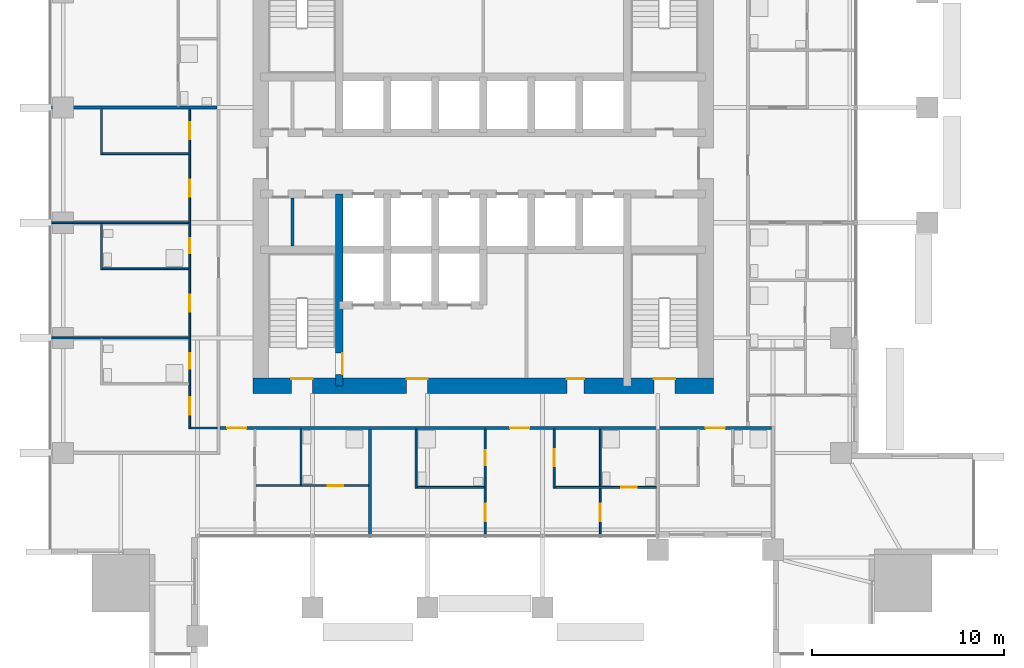
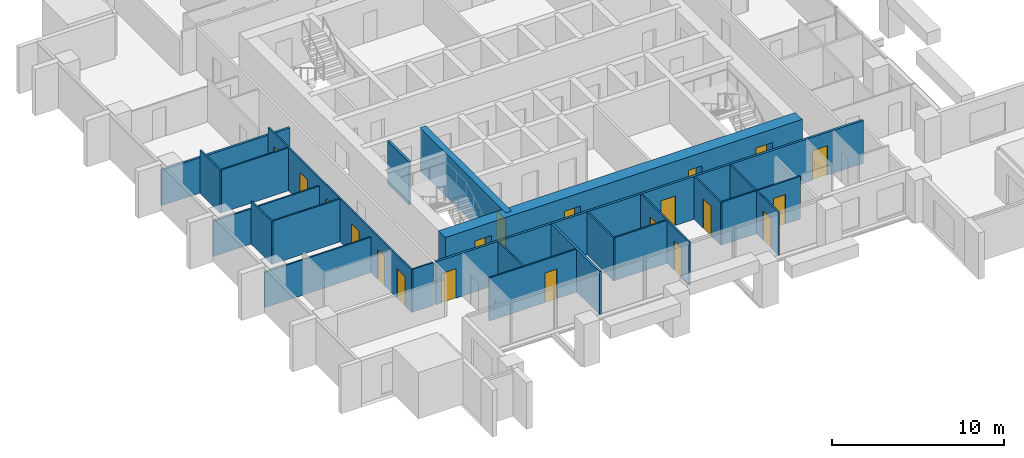
# One storey, part 7 of 13: 22 walls, 20 doors, 20 openings.
"""IFC4 building model written with IfcOpenShell, lengths in metres."""

from ifc_helpers import new_model, si_unit, direction, frame, frame_2d, origin, place, context, subcontext, project, spatial, rectangle, extrude, material, layer, layer_set, type_object, element, fill, save


model = new_model("IFC4")

# Units and contexts
model_context = context("Model", 3, precision=1e-05, world=origin(), true_north=direction((0.0, 1.0)))
body_context = subcontext(model_context, "Body", "Model", "MODEL_VIEW")
ifc_project = project(units=[si_unit("LENGTHUNIT", "METRE"), si_unit("AREAUNIT", "SQUARE_METRE"), si_unit("VOLUMEUNIT", "CUBIC_METRE"), si_unit("PLANEANGLEUNIT", "RADIAN"), si_unit("MASSUNIT", "GRAM", prefix="KILO")], contexts=[model_context])

# Site, building, storey
site_placement = place(None, origin())
site = spatial("IfcSite", under=ifc_project, at=site_placement, CompositionType="ELEMENT")
building_placement = place(site_placement, origin())
building = spatial("IfcBuilding", under=site, at=building_placement, Name="Amberfall Residences", CompositionType="ELEMENT")
storey_placement = place(building_placement, frame((0.0, 0.0, 111.699951171875)))
storey = spatial("IfcBuildingStorey", under=building, at=storey_placement, Name="L30", CompositionType="ELEMENT", Elevation=111.699951171875)

# Wall, opening, door
ifc_material_1 = material(Name="Concrete C70", Category="concrete")
ifc_layer_1 = layer(ifc_material_1, 0.39990234375)
ifc_layer_set_1 = layer_set([ifc_layer_1], Name="Core wall 400 C70")
wall_type_1 = type_object("IfcWallType", Name="Core wall 400 C70", PredefinedType="SHEAR", material=ifc_layer_set_1)
wall_1_placement = place(storey_placement, frame((67.0, 33.89990234375, 0.0), z_axis=(0.0, 0.0, 1.0), x_axis=(0.0, 1.0, 0.0)))
wall_1 = element("IfcWall", 1, at=wall_1_placement, inside=storey, type_object=wall_type_1, Name="Core wall RW4 L30 V45S", PredefinedType="SHEAR", context=body_context, shape_type="SweptSolid", body=[
    extrude(rectangle(XDim=10.0, YDim=0.39990234375, at=frame_2d((5.0, 0.0))), origin(), (0.0, 0.0, 1.0), 3.050048828125),
])
opening_1_placement = place(wall_1_placement, frame((0.60009765625, 0.0, 0.0)))
opening_1 = element("IfcOpeningElement", 2, at=opening_1_placement, cuts=wall_1, Name="Opening FL1", PredefinedType="OPENING", context=body_context, shape_type="SweptSolid", body=[
    extrude(rectangle(XDim=1.10009765625, YDim=2.10009765625, at=frame_2d((0.550048828125, 1.050048828125))), frame((0.0, 0.2099609375, 0.0), z_axis=(0.0, -1.0, 0.0), x_axis=(1.0, 0.0, 0.0)), (0.0, 0.0, 1.0), 0.419921875),
])
ifc_material_2 = material(Name="Steel fire door set", Category="steel")
door_type_1 = type_object("IfcDoorType", Name="Firefighting lobby door 1100 x 2100", OperationType="SINGLE_SWING_LEFT", PredefinedType="DOOR", material=ifc_material_2)
door_1_placement = place(opening_1_placement, origin())
door_1 = element("IfcDoor", 3, at=door_1_placement, inside=storey, type_object=door_type_1, Name="FL1 L30", OperationType="SINGLE_SWING_RIGHT", OverallHeight=2.10009765625, OverallWidth=1.10009765625, PredefinedType="DOOR", context=body_context, shape_type="SweptSolid", body=[
    extrude(rectangle(XDim=1.10009765625, YDim=2.10009765625, at=frame_2d((0.550048828125, 1.050048828125))), frame((0.0, -0.1376953125, 0.0), z_axis=(0.0, -1.0, 0.0), x_axis=(1.0, 0.0, 0.0)), (0.0, 0.0, 1.0), 0.050048828125),
])
fill(opening_1, door_1)

# Wall, openings, doors
ifc_layer_2 = layer(ifc_material_1, 0.800048828125)
ifc_layer_set_2 = layer_set([ifc_layer_2], Name="Core wall 800 C70")
wall_type_2 = type_object("IfcWallType", Name="Core wall 800 C70", PredefinedType="SHEAR", material=ifc_layer_set_2)
wall_2_placement = place(storey_placement, frame((62.5, 33.89990234375, 0.0), z_axis=(0.0, 0.0, 1.0), x_axis=(1.0, 0.0, 0.0)))
wall_2 = element("IfcWall", 4, at=wall_2_placement, inside=storey, type_object=wall_type_2, Name="Core wall RW3 L30 OS", PredefinedType="SHEAR", context=body_context, shape_type="SweptSolid", body=[
    extrude(rectangle(XDim=24.0, YDim=0.800048828125, at=frame_2d((12.0, 0.0))), origin(), (0.0, 0.0, 1.0), 3.050048828125),
])
opening_2_placement = place(wall_2_placement, frame((2.0, 0.0, 0.0)))
opening_2 = element("IfcOpeningElement", 5, at=opening_2_placement, cuts=wall_2, Name="Opening SD1", PredefinedType="OPENING", context=body_context, shape_type="SweptSolid", body=[
    extrude(rectangle(XDim=1.10009765625, YDim=2.10009765625, at=frame_2d((0.550048828125, 1.050048828125))), frame((0.0, 0.409912109375, 0.0), z_axis=(0.0, -1.0, 0.0), x_axis=(1.0, 0.0, 0.0)), (0.0, 0.0, 1.0), 0.820068359375),
])
opening_3_placement = place(wall_2_placement, frame((20.89990234375, 0.0, 0.0)))
opening_3 = element("IfcOpeningElement", 6, at=opening_3_placement, cuts=wall_2, Name="Opening SD1", PredefinedType="OPENING", context=body_context, shape_type="SweptSolid", body=[
    extrude(rectangle(XDim=1.10009765625, YDim=2.10009765625, at=frame_2d((0.550048828125, 1.050048828125))), frame((0.0, 0.409912109375, 0.0), z_axis=(0.0, -1.0, 0.0), x_axis=(1.0, 0.0, 0.0)), (0.0, 0.0, 1.0), 0.820068359375),
])
opening_4_placement = place(wall_2_placement, frame((8.0, 0.0, 0.0)))
opening_4 = element("IfcOpeningElement", 7, at=opening_4_placement, cuts=wall_2, Name="Opening FL1", PredefinedType="OPENING", context=body_context, shape_type="SweptSolid", body=[
    extrude(rectangle(XDim=1.10009765625, YDim=2.10009765625, at=frame_2d((0.550048828125, 1.050048828125))), frame((0.0, 0.409912109375, 0.0), z_axis=(0.0, -1.0, 0.0), x_axis=(1.0, 0.0, 0.0)), (0.0, 0.0, 1.0), 0.820068359375),
])
opening_5_placement = place(wall_2_placement, frame((16.362548828125, 0.0, 0.0)))
opening_5 = element("IfcOpeningElement", 8, at=opening_5_placement, cuts=wall_2, Name="Opening RD1", PredefinedType="OPENING", context=body_context, shape_type="SweptSolid", body=[
    extrude(rectangle(XDim=0.89990234375, YDim=2.10009765625, at=frame_2d((0.449951171875, 1.050048828125))), frame((0.0, 0.409912109375, 0.0), z_axis=(0.0, -1.0, 0.0), x_axis=(1.0, 0.0, 0.0)), (0.0, 0.0, 1.0), 0.820068359375),
])
door_2_placement = place(opening_4_placement, origin())
door_2 = element("IfcDoor", 9, at=door_2_placement, inside=storey, type_object=door_type_1, Name="FL1 L30", OperationType="SINGLE_SWING_LEFT", OverallHeight=2.10009765625, OverallWidth=1.10009765625, PredefinedType="DOOR", context=body_context, shape_type="SweptSolid", body=[
    extrude(rectangle(XDim=1.10009765625, YDim=2.10009765625, at=frame_2d((0.550048828125, 1.050048828125))), frame((0.0, 0.3876953125, 0.0), z_axis=(0.0, -1.0, 0.0), x_axis=(1.0, 0.0, 0.0)), (0.0, 0.0, 1.0), 0.050048828125),
])
fill(opening_4, door_2)
door_type_2 = type_object("IfcDoorType", Name="Service room door 900 x 2100", OperationType="SINGLE_SWING_LEFT", PredefinedType="DOOR", material=ifc_material_2)
door_3_placement = place(opening_5_placement, origin())
door_3 = element("IfcDoor", 10, at=door_3_placement, inside=storey, type_object=door_type_2, Name="RD1 L30", OperationType="SINGLE_SWING_LEFT", OverallHeight=2.10009765625, OverallWidth=0.89990234375, PredefinedType="DOOR", context=body_context, shape_type="SweptSolid", body=[
    extrude(rectangle(XDim=0.89990234375, YDim=2.10009765625, at=frame_2d((0.449951171875, 1.050048828125))), frame((0.0, 0.3876953125, 0.0), z_axis=(0.0, -1.0, 0.0), x_axis=(1.0, 0.0, 0.0)), (0.0, 0.0, 1.0), 0.050048828125),
])
fill(opening_5, door_3)
door_type_3 = type_object("IfcDoorType", Name="Stair door 1100 x 2100", OperationType="SINGLE_SWING_LEFT", PredefinedType="DOOR", material=ifc_material_2)
door_4_placement = place(opening_2_placement, origin())
door_4 = element("IfcDoor", 11, at=door_4_placement, inside=storey, type_object=door_type_3, Name="SD1 L30", OperationType="SINGLE_SWING_LEFT", OverallHeight=2.10009765625, OverallWidth=1.10009765625, PredefinedType="DOOR", context=body_context, shape_type="SweptSolid", body=[
    extrude(rectangle(XDim=1.10009765625, YDim=2.10009765625, at=frame_2d((0.550048828125, 1.050048828125))), frame((0.0, 0.3876953125, 0.0), z_axis=(0.0, -1.0, 0.0), x_axis=(1.0, 0.0, 0.0)), (0.0, 0.0, 1.0), 0.050048828125),
])
fill(opening_2, door_4)
door_5_placement = place(opening_3_placement, origin())
door_5 = element("IfcDoor", 12, at=door_5_placement, inside=storey, type_object=door_type_3, Name="SD1 L30", OperationType="SINGLE_SWING_RIGHT", OverallHeight=2.10009765625, OverallWidth=1.10009765625, PredefinedType="DOOR", context=body_context, shape_type="SweptSolid", body=[
    extrude(rectangle(XDim=1.10009765625, YDim=2.10009765625, at=frame_2d((0.550048828125, 1.050048828125))), frame((0.0, 0.3876953125, 0.0), z_axis=(0.0, -1.0, 0.0), x_axis=(1.0, 0.0, 0.0)), (0.0, 0.0, 1.0), 0.050048828125),
])
fill(opening_3, door_5)

# Walls
ifc_material_3 = material(Name="Gypsum board on metal stud")
ifc_layer_3 = layer(ifc_material_3, 0.10009765625)
ifc_layer_set_3 = layer_set([ifc_layer_3], Name="Flat partition 100")
wall_type_3 = type_object("IfcWallType", Name="Flat partition 100", PredefinedType="PARTITIONING", material=ifc_layer_set_3)
wall_3_placement = place(storey_placement, frame((54.60009765625, 39.949951171875, 0.0), z_axis=(0.0, 0.0, 1.0), x_axis=(0.0, 1.0, 0.0)))
element("IfcWall", 13, at=wall_3_placement, inside=storey, type_object=wall_type_3, Name="Partition 002", PredefinedType="PARTITIONING", context=body_context, shape_type="SweptSolid", body=[
    extrude(rectangle(XDim=2.400146484375, YDim=0.10009765625, at=frame_2d((1.2001953125, 0.0))), origin(), (0.0, 0.0, 1.0), 3.050048828125),
])
wall_4_placement = place(storey_placement, frame((54.60009765625, 45.949951171875, 0.0), z_axis=(0.0, 0.0, 1.0), x_axis=(0.0, 1.0, 0.0)))
element("IfcWall", 14, at=wall_4_placement, inside=storey, type_object=wall_type_3, Name="Partition 003", PredefinedType="PARTITIONING", context=body_context, shape_type="SweptSolid", body=[
    extrude(rectangle(XDim=2.375, YDim=0.10009765625, at=frame_2d((1.1875, 0.0))), origin(), (0.0, 0.0, 1.0), 3.050048828125),
])

# Wall, openings, doors
wall_5_placement = place(storey_placement, frame((59.199951171875, 31.64990234375, 0.0), z_axis=(0.0, 0.0, 1.0), x_axis=(0.0, 1.0, 0.0)))
wall_5 = element("IfcWall", 15, at=wall_5_placement, inside=storey, type_object=wall_type_3, Name="Partition 005", PredefinedType="PARTITIONING", context=body_context, shape_type="SweptSolid", body=[
    extrude(rectangle(XDim=16.675048828125, YDim=0.10009765625, at=frame_2d((8.33740234375, 0.0))), origin(), (0.0, 0.0, 1.0), 3.050048828125),
])
opening_6_placement = place(wall_5_placement, frame((12.10009765625, 0.0, 0.0)))
opening_6 = element("IfcOpeningElement", 16, at=opening_6_placement, cuts=wall_5, Name="Opening D41", PredefinedType="OPENING", context=body_context, shape_type="SweptSolid", body=[
    extrude(rectangle(XDim=0.89990234375, YDim=2.10009765625, at=frame_2d((0.449951171875, 1.050048828125))), frame((0.0, 0.06005859375, 0.0), z_axis=(0.0, -1.0, 0.0), x_axis=(1.0, 0.0, 0.0)), (0.0, 0.0, 1.0), 0.1201171875),
])
opening_7_placement = place(wall_5_placement, frame((15.10009765625, 0.0, 0.0)))
opening_7 = element("IfcOpeningElement", 17, at=opening_7_placement, cuts=wall_5, Name="Opening D41", PredefinedType="OPENING", context=body_context, shape_type="SweptSolid", body=[
    extrude(rectangle(XDim=0.89990234375, YDim=2.10009765625, at=frame_2d((0.449951171875, 1.050048828125))), frame((0.0, 0.06005859375, 0.0), z_axis=(0.0, -1.0, 0.0), x_axis=(1.0, 0.0, 0.0)), (0.0, 0.0, 1.0), 0.1201171875),
])
opening_8_placement = place(wall_5_placement, frame((0.75, 0.0, 0.0)))
opening_8 = element("IfcOpeningElement", 18, at=opening_8_placement, cuts=wall_5, Name="Opening D41", PredefinedType="OPENING", context=body_context, shape_type="SweptSolid", body=[
    extrude(rectangle(XDim=0.89990234375, YDim=2.10009765625, at=frame_2d((0.449951171875, 1.050048828125))), frame((0.0, 0.06005859375, 0.0), z_axis=(0.0, -1.0, 0.0), x_axis=(1.0, 0.0, 0.0)), (0.0, 0.0, 1.0), 0.1201171875),
])
opening_9_placement = place(wall_5_placement, frame((6.10009765625, 0.0, 0.0)))
opening_9 = element("IfcOpeningElement", 19, at=opening_9_placement, cuts=wall_5, Name="Opening D41", PredefinedType="OPENING", context=body_context, shape_type="SweptSolid", body=[
    extrude(rectangle(XDim=0.89990234375, YDim=2.10009765625, at=frame_2d((0.449951171875, 1.050048828125))), frame((0.0, 0.06005859375, 0.0), z_axis=(0.0, -1.0, 0.0), x_axis=(1.0, 0.0, 0.0)), (0.0, 0.0, 1.0), 0.1201171875),
])
opening_10_placement = place(wall_5_placement, frame((3.14990234375, 0.0, 0.0)))
opening_10 = element("IfcOpeningElement", 20, at=opening_10_placement, cuts=wall_5, Name="Opening D42", PredefinedType="OPENING", context=body_context, shape_type="SweptSolid", body=[
    extrude(rectangle(XDim=0.800048828125, YDim=2.10009765625, at=frame_2d((0.39990234375, 1.050048828125))), frame((0.0, 0.06005859375, 0.0), z_axis=(0.0, -1.0, 0.0), x_axis=(1.0, 0.0, 0.0)), (0.0, 0.0, 1.0), 0.1201171875),
])
opening_11_placement = place(wall_5_placement, frame((9.14990234375, 0.0, 0.0)))
opening_11 = element("IfcOpeningElement", 21, at=opening_11_placement, cuts=wall_5, Name="Opening D42", PredefinedType="OPENING", context=body_context, shape_type="SweptSolid", body=[
    extrude(rectangle(XDim=0.800048828125, YDim=2.10009765625, at=frame_2d((0.39990234375, 1.050048828125))), frame((0.0, 0.06005859375, 0.0), z_axis=(0.0, -1.0, 0.0), x_axis=(1.0, 0.0, 0.0)), (0.0, 0.0, 1.0), 0.1201171875),
])
ifc_material_4 = material(Name="Timber", Category="wood")
door_type_4 = type_object("IfcDoorType", Name="Bathroom door 800 x 2100", OperationType="SINGLE_SWING_LEFT", PredefinedType="DOOR", material=ifc_material_4)
door_6_placement = place(opening_10_placement, origin())
door_6 = element("IfcDoor", 22, at=door_6_placement, inside=storey, type_object=door_type_4, Name="Door 3009 bath1", OperationType="SINGLE_SWING_LEFT", OverallHeight=2.10009765625, OverallWidth=0.800048828125, PredefinedType="DOOR", context=body_context, shape_type="SweptSolid", body=[
    extrude(rectangle(XDim=0.800048828125, YDim=2.10009765625, at=frame_2d((0.39990234375, 1.050048828125))), frame((0.0, 0.02490234375, 0.0), z_axis=(0.0, -1.0, 0.0), x_axis=(1.0, 0.0, 0.0)), (0.0, 0.0, 1.0), 0.050048828125),
])
fill(opening_10, door_6)
door_7_placement = place(opening_11_placement, origin())
door_7 = element("IfcDoor", 23, at=door_7_placement, inside=storey, type_object=door_type_4, Name="Door 3009 bath2", OperationType="SINGLE_SWING_LEFT", OverallHeight=2.10009765625, OverallWidth=0.800048828125, PredefinedType="DOOR", context=body_context, shape_type="SweptSolid", body=[
    extrude(rectangle(XDim=0.800048828125, YDim=2.10009765625, at=frame_2d((0.39990234375, 1.050048828125))), frame((0.0, 0.02490234375, 0.0), z_axis=(0.0, -1.0, 0.0), x_axis=(1.0, 0.0, 0.0)), (0.0, 0.0, 1.0), 0.050048828125),
])
fill(opening_11, door_7)
door_type_5 = type_object("IfcDoorType", Name="Internal door 900 x 2100", OperationType="SINGLE_SWING_LEFT", PredefinedType="DOOR", material=ifc_material_4)
door_8_placement = place(opening_6_placement, origin())
door_8 = element("IfcDoor", 24, at=door_8_placement, inside=storey, type_object=door_type_5, Name="Door 3009 living", OperationType="SINGLE_SWING_LEFT", OverallHeight=2.10009765625, OverallWidth=0.89990234375, PredefinedType="DOOR", context=body_context, shape_type="SweptSolid", body=[
    extrude(rectangle(XDim=0.89990234375, YDim=2.10009765625, at=frame_2d((0.449951171875, 1.050048828125))), frame((0.0, 0.02490234375, 0.0), z_axis=(0.0, -1.0, 0.0), x_axis=(1.0, 0.0, 0.0)), (0.0, 0.0, 1.0), 0.050048828125),
])
fill(opening_6, door_8)
door_9_placement = place(opening_7_placement, origin())
door_9 = element("IfcDoor", 25, at=door_9_placement, inside=storey, type_object=door_type_5, Name="Door 3009 kitchen", OperationType="SINGLE_SWING_LEFT", OverallHeight=2.10009765625, OverallWidth=0.89990234375, PredefinedType="DOOR", context=body_context, shape_type="SweptSolid", body=[
    extrude(rectangle(XDim=0.89990234375, YDim=2.10009765625, at=frame_2d((0.449951171875, 1.050048828125))), frame((0.0, 0.02490234375, 0.0), z_axis=(0.0, -1.0, 0.0), x_axis=(1.0, 0.0, 0.0)), (0.0, 0.0, 1.0), 0.050048828125),
])
fill(opening_7, door_9)
door_10_placement = place(opening_8_placement, origin())
door_10 = element("IfcDoor", 26, at=door_10_placement, inside=storey, type_object=door_type_5, Name="Door 3009 bedroom1", OperationType="SINGLE_SWING_LEFT", OverallHeight=2.10009765625, OverallWidth=0.89990234375, PredefinedType="DOOR", context=body_context, shape_type="SweptSolid", body=[
    extrude(rectangle(XDim=0.89990234375, YDim=2.10009765625, at=frame_2d((0.449951171875, 1.050048828125))), frame((0.0, 0.02490234375, 0.0), z_axis=(0.0, -1.0, 0.0), x_axis=(1.0, 0.0, 0.0)), (0.0, 0.0, 1.0), 0.050048828125),
])
fill(opening_8, door_10)
door_11_placement = place(opening_9_placement, origin())
door_11 = element("IfcDoor", 27, at=door_11_placement, inside=storey, type_object=door_type_5, Name="Door 3009 bedroom2", OperationType="SINGLE_SWING_LEFT", OverallHeight=2.10009765625, OverallWidth=0.89990234375, PredefinedType="DOOR", context=body_context, shape_type="SweptSolid", body=[
    extrude(rectangle(XDim=0.89990234375, YDim=2.10009765625, at=frame_2d((0.449951171875, 1.050048828125))), frame((0.0, 0.02490234375, 0.0), z_axis=(0.0, -1.0, 0.0), x_axis=(1.0, 0.0, 0.0)), (0.0, 0.0, 1.0), 0.050048828125),
])
fill(opening_9, door_11)

# Walls
wall_6_placement = place(storey_placement, frame((65.0, 28.75, 0.0), z_axis=(0.0, 0.0, 1.0), x_axis=(0.0, 1.0, 0.0)))
element("IfcWall", 28, at=wall_6_placement, inside=storey, type_object=wall_type_3, Name="Partition 009", PredefinedType="PARTITIONING", context=body_context, shape_type="SweptSolid", body=[
    extrude(rectangle(XDim=2.875, YDim=0.10009765625, at=frame_2d((1.4375, 0.0))), origin(), (0.0, 0.0, 1.0), 3.050048828125),
])
wall_7_placement = place(storey_placement, frame((71.0, 28.550048828125, 0.0), z_axis=(0.0, 0.0, 1.0), x_axis=(0.0, 1.0, 0.0)))
element("IfcWall", 29, at=wall_7_placement, inside=storey, type_object=wall_type_3, Name="Partition 012", PredefinedType="PARTITIONING", context=body_context, shape_type="SweptSolid", body=[
    extrude(rectangle(XDim=3.074951171875, YDim=0.10009765625, at=frame_2d((1.53759765625, 0.0))), origin(), (0.0, 0.0, 1.0), 3.050048828125),
])

# Wall, openings, doors
wall_8_placement = place(storey_placement, frame((74.60009765625, 26.0, 0.0), z_axis=(0.0, 0.0, 1.0), x_axis=(0.0, 1.0, 0.0)))
wall_8 = element("IfcWall", 30, at=wall_8_placement, inside=storey, type_object=wall_type_3, Name="Partition 015", PredefinedType="PARTITIONING", context=body_context, shape_type="SweptSolid", body=[
    extrude(rectangle(XDim=5.625, YDim=0.10009765625, at=frame_2d((2.8125, 0.0))), origin(), (0.0, 0.0, 1.0), 3.050048828125),
])
opening_12_placement = place(wall_8_placement, frame((0.85009765625, 0.0, 0.0)))
opening_12 = element("IfcOpeningElement", 31, at=opening_12_placement, cuts=wall_8, Name="Opening D41", PredefinedType="OPENING", context=body_context, shape_type="SweptSolid", body=[
    extrude(rectangle(XDim=0.89990234375, YDim=2.10009765625, at=frame_2d((0.449951171875, 1.050048828125))), frame((0.0, 0.06005859375, 0.0), z_axis=(0.0, -1.0, 0.0), x_axis=(1.0, 0.0, 0.0)), (0.0, 0.0, 1.0), 0.1201171875),
])
opening_13_placement = place(wall_8_placement, frame((3.75, 0.0, 0.0)))
opening_13 = element("IfcOpeningElement", 32, at=opening_13_placement, cuts=wall_8, Name="Opening D42", PredefinedType="OPENING", context=body_context, shape_type="SweptSolid", body=[
    extrude(rectangle(XDim=0.800048828125, YDim=2.10009765625, at=frame_2d((0.39990234375, 1.050048828125))), frame((0.0, 0.06005859375, 0.0), z_axis=(0.0, -1.0, 0.0), x_axis=(1.0, 0.0, 0.0)), (0.0, 0.0, 1.0), 0.1201171875),
])
door_12_placement = place(opening_13_placement, origin())
door_12 = element("IfcDoor", 33, at=door_12_placement, inside=storey, type_object=door_type_4, Name="Door 3002 bath1", OperationType="SINGLE_SWING_LEFT", OverallHeight=2.10009765625, OverallWidth=0.800048828125, PredefinedType="DOOR", context=body_context, shape_type="SweptSolid", body=[
    extrude(rectangle(XDim=0.800048828125, YDim=2.10009765625, at=frame_2d((0.39990234375, 1.050048828125))), frame((0.0, 0.02490234375, 0.0), z_axis=(0.0, -1.0, 0.0), x_axis=(1.0, 0.0, 0.0)), (0.0, 0.0, 1.0), 0.050048828125),
])
fill(opening_13, door_12)
door_13_placement = place(opening_12_placement, origin())
door_13 = element("IfcDoor", 34, at=door_13_placement, inside=storey, type_object=door_type_5, Name="Door 3002 bedroom1", OperationType="SINGLE_SWING_LEFT", OverallHeight=2.10009765625, OverallWidth=0.89990234375, PredefinedType="DOOR", context=body_context, shape_type="SweptSolid", body=[
    extrude(rectangle(XDim=0.89990234375, YDim=2.10009765625, at=frame_2d((0.449951171875, 1.050048828125))), frame((0.0, 0.02490234375, 0.0), z_axis=(0.0, -1.0, 0.0), x_axis=(1.0, 0.0, 0.0)), (0.0, 0.0, 1.0), 0.050048828125),
])
fill(opening_12, door_13)

# Wall, opening, door
wall_9_placement = place(storey_placement, frame((78.199951171875, 31.625, 0.0), z_axis=(0.0, 0.0, 1.0), x_axis=(0.0, -1.0, 0.0)))
wall_9 = element("IfcWall", 35, at=wall_9_placement, inside=storey, type_object=wall_type_3, Name="Partition 016", PredefinedType="PARTITIONING", context=body_context, shape_type="SweptSolid", body=[
    extrude(rectangle(XDim=3.074951171875, YDim=0.10009765625, at=frame_2d((1.53759765625, 0.0))), origin(), (0.0, 0.0, 1.0), 3.050048828125),
])
opening_14_placement = place(wall_9_placement, frame((1.02490234375, 0.0, 0.0)))
opening_14 = element("IfcOpeningElement", 36, at=opening_14_placement, cuts=wall_9, Name="Opening D41", PredefinedType="OPENING", context=body_context, shape_type="SweptSolid", body=[
    extrude(rectangle(XDim=0.89990234375, YDim=2.10009765625, at=frame_2d((0.449951171875, 1.050048828125))), frame((0.0, 0.06005859375, 0.0), z_axis=(0.0, -1.0, 0.0), x_axis=(1.0, 0.0, 0.0)), (0.0, 0.0, 1.0), 0.1201171875),
])
door_14_placement = place(opening_14_placement, origin())
door_14 = element("IfcDoor", 37, at=door_14_placement, inside=storey, type_object=door_type_5, Name="Door 3002 kitchen", OperationType="SINGLE_SWING_LEFT", OverallHeight=2.10009765625, OverallWidth=0.89990234375, PredefinedType="DOOR", context=body_context, shape_type="SweptSolid", body=[
    extrude(rectangle(XDim=0.89990234375, YDim=2.10009765625, at=frame_2d((0.449951171875, 1.050048828125))), frame((0.0, 0.02490234375, 0.0), z_axis=(0.0, -1.0, 0.0), x_axis=(1.0, 0.0, 0.0)), (0.0, 0.0, 1.0), 0.050048828125),
])
fill(opening_14, door_14)

wall_10_placement = place(storey_placement, frame((80.60009765625, 31.625, 0.0), z_axis=(0.0, 0.0, 1.0), x_axis=(0.0, -1.0, 0.0)))
wall_10 = element("IfcWall", 38, at=wall_10_placement, inside=storey, type_object=wall_type_3, Name="Partition 017", PredefinedType="PARTITIONING", context=body_context, shape_type="SweptSolid", body=[
    extrude(rectangle(XDim=5.625, YDim=0.10009765625, at=frame_2d((2.8125, 0.0))), origin(), (0.0, 0.0, 1.0), 3.050048828125),
])
opening_15_placement = place(wall_10_placement, frame((3.875, 0.0, 0.0)))
opening_15 = element("IfcOpeningElement", 39, at=opening_15_placement, cuts=wall_10, Name="Opening D41", PredefinedType="OPENING", context=body_context, shape_type="SweptSolid", body=[
    extrude(rectangle(XDim=0.89990234375, YDim=2.10009765625, at=frame_2d((0.449951171875, 1.050048828125))), frame((0.0, 0.06005859375, 0.0), z_axis=(0.0, -1.0, 0.0), x_axis=(1.0, 0.0, 0.0)), (0.0, 0.0, 1.0), 0.1201171875),
])
door_15_placement = place(opening_15_placement, origin())
door_15 = element("IfcDoor", 40, at=door_15_placement, inside=storey, type_object=door_type_5, Name="Door 3002 bedroom2", OperationType="SINGLE_SWING_LEFT", OverallHeight=2.10009765625, OverallWidth=0.89990234375, PredefinedType="DOOR", context=body_context, shape_type="SweptSolid", body=[
    extrude(rectangle(XDim=0.89990234375, YDim=2.10009765625, at=frame_2d((0.449951171875, 1.050048828125))), frame((0.0, 0.02490234375, 0.0), z_axis=(0.0, -1.0, 0.0), x_axis=(1.0, 0.0, 0.0)), (0.0, 0.0, 1.0), 0.050048828125),
])
fill(opening_15, door_15)

# Walls
wall_11_placement = place(storey_placement, frame((54.64990234375, 46.0, 0.0), z_axis=(0.0, 0.0, 1.0), x_axis=(1.0, 0.0, 0.0)))
element("IfcWall", 41, at=wall_11_placement, inside=storey, type_object=wall_type_3, Name="Partition 037", PredefinedType="PARTITIONING", context=body_context, shape_type="SweptSolid", body=[
    extrude(rectangle(XDim=4.5, YDim=0.10009765625, at=frame_2d((2.25, 0.0))), origin(), (0.0, 0.0, 1.0), 3.050048828125),
])
wall_12_placement = place(storey_placement, frame((52.0, 42.39990234375, 0.0), z_axis=(0.0, 0.0, 1.0), x_axis=(1.0, 0.0, 0.0)))
element("IfcWall", 42, at=wall_12_placement, inside=storey, type_object=wall_type_3, Name="Partition 038", PredefinedType="PARTITIONING", context=body_context, shape_type="SweptSolid", body=[
    extrude(rectangle(XDim=7.14990234375, YDim=0.10009765625, at=frame_2d((3.574951171875, 0.0))), origin(), (0.0, 0.0, 1.0), 2.51611328125),
])
wall_13_placement = place(storey_placement, frame((54.64990234375, 40.0, 0.0), z_axis=(0.0, 0.0, 1.0), x_axis=(1.0, 0.0, 0.0)))
element("IfcWall", 43, at=wall_13_placement, inside=storey, type_object=wall_type_3, Name="Partition 040", PredefinedType="PARTITIONING", context=body_context, shape_type="SweptSolid", body=[
    extrude(rectangle(XDim=4.5, YDim=0.10009765625, at=frame_2d((2.25, 0.0))), origin(), (0.0, 0.0, 1.0), 3.050048828125),
])
wall_14_placement = place(storey_placement, frame((52.0, 36.39990234375, 0.0), z_axis=(0.0, 0.0, 1.0), x_axis=(1.0, 0.0, 0.0)))
element("IfcWall", 44, at=wall_14_placement, inside=storey, type_object=wall_type_3, Name="Partition 041", PredefinedType="PARTITIONING", context=body_context, shape_type="SweptSolid", body=[
    extrude(rectangle(XDim=7.14990234375, YDim=0.10009765625, at=frame_2d((3.574951171875, 0.0))), origin(), (0.0, 0.0, 1.0), 2.51611328125),
])
wall_15_placement = place(storey_placement, frame((59.25, 31.699951171875, 0.0), z_axis=(0.0, 0.0, 1.0), x_axis=(1.0, 0.0, 0.0)))
element("IfcWall", 45, at=wall_15_placement, inside=storey, type_object=wall_type_3, Name="Partition 045", PredefinedType="PARTITIONING", context=body_context, shape_type="SweptSolid", body=[
    extrude(rectangle(XDim=1.375, YDim=0.10009765625, at=frame_2d((0.6875, 0.0))), origin(), (0.0, 0.0, 1.0), 3.050048828125),
])

# Wall, opening, door
wall_16_placement = place(storey_placement, frame((62.64990234375, 28.699951171875, 0.0), z_axis=(0.0, 0.0, 1.0), x_axis=(1.0, 0.0, 0.0)))
wall_16 = element("IfcWall", 46, at=wall_16_placement, inside=storey, type_object=wall_type_3, Name="Partition 046", PredefinedType="PARTITIONING", context=body_context, shape_type="SweptSolid", body=[
    extrude(rectangle(XDim=5.875, YDim=0.10009765625, at=frame_2d((2.9375, 0.0))), origin(), (0.0, 0.0, 1.0), 3.050048828125),
])
opening_16_placement = place(wall_16_placement, frame((3.75, 0.0, 0.0)))
opening_16 = element("IfcOpeningElement", 47, at=opening_16_placement, cuts=wall_16, Name="Opening D42", PredefinedType="OPENING", context=body_context, shape_type="SweptSolid", body=[
    extrude(rectangle(XDim=0.800048828125, YDim=2.10009765625, at=frame_2d((0.39990234375, 1.050048828125))), frame((0.0, 0.06005859375, 0.0), z_axis=(0.0, -1.0, 0.0), x_axis=(1.0, 0.0, 0.0)), (0.0, 0.0, 1.0), 0.1201171875),
])
door_16_placement = place(opening_16_placement, origin())
door_16 = element("IfcDoor", 48, at=door_16_placement, inside=storey, type_object=door_type_4, Name="Door 3001 bath1", OperationType="SINGLE_SWING_LEFT", OverallHeight=2.10009765625, OverallWidth=0.800048828125, PredefinedType="DOOR", context=body_context, shape_type="SweptSolid", body=[
    extrude(rectangle(XDim=0.800048828125, YDim=2.10009765625, at=frame_2d((0.39990234375, 1.050048828125))), frame((0.0, 0.02490234375, 0.0), z_axis=(0.0, -1.0, 0.0), x_axis=(1.0, 0.0, 0.0)), (0.0, 0.0, 1.0), 0.050048828125),
])
fill(opening_16, door_16)

# Wall
wall_17_placement = place(storey_placement, frame((71.050048828125, 28.60009765625, 0.0), z_axis=(0.0, 0.0, 1.0), x_axis=(1.0, 0.0, 0.0)))
element("IfcWall", 49, at=wall_17_placement, inside=storey, type_object=wall_type_3, Name="Partition 049", PredefinedType="PARTITIONING", context=body_context, shape_type="SweptSolid", body=[
    extrude(rectangle(XDim=3.5, YDim=0.10009765625, at=frame_2d((1.75, 0.0))), origin(), (0.0, 0.0, 1.0), 3.050048828125),
])

# Wall, opening, door
wall_18_placement = place(storey_placement, frame((78.25, 28.60009765625, 0.0), z_axis=(0.0, 0.0, 1.0), x_axis=(1.0, 0.0, 0.0)))
wall_18 = element("IfcWall", 50, at=wall_18_placement, inside=storey, type_object=wall_type_3, Name="Partition 050", PredefinedType="PARTITIONING", context=body_context, shape_type="SweptSolid", body=[
    extrude(rectangle(XDim=5.27490234375, YDim=0.10009765625, at=frame_2d((2.637451171875, 0.0))), origin(), (0.0, 0.0, 1.0), 3.050048828125),
])
opening_17_placement = place(wall_18_placement, frame((3.449951171875, 0.0, 0.0)))
opening_17 = element("IfcOpeningElement", 51, at=opening_17_placement, cuts=wall_18, Name="Opening D42", PredefinedType="OPENING", context=body_context, shape_type="SweptSolid", body=[
    extrude(rectangle(XDim=0.800048828125, YDim=2.10009765625, at=frame_2d((0.39990234375, 1.050048828125))), frame((0.0, 0.06005859375, 0.0), z_axis=(0.0, -1.0, 0.0), x_axis=(1.0, 0.0, 0.0)), (0.0, 0.0, 1.0), 0.1201171875),
])
door_17_placement = place(opening_17_placement, origin())
door_17 = element("IfcDoor", 52, at=door_17_placement, inside=storey, type_object=door_type_4, Name="Door 3002 bath2", OperationType="SINGLE_SWING_LEFT", OverallHeight=2.10009765625, OverallWidth=0.800048828125, PredefinedType="DOOR", context=body_context, shape_type="SweptSolid", body=[
    extrude(rectangle(XDim=0.800048828125, YDim=2.10009765625, at=frame_2d((0.39990234375, 1.050048828125))), frame((0.0, 0.02490234375, 0.0), z_axis=(0.0, -1.0, 0.0), x_axis=(1.0, 0.0, 0.0)), (0.0, 0.0, 1.0), 0.050048828125),
])
fill(opening_17, door_17)

# Walls
ifc_material_5 = material(Name="Blockwork, plastered", Category="masonry")
ifc_layer_4 = layer(ifc_material_5, 0.14990234375)
ifc_layer_set_4 = layer_set([ifc_layer_4], Name="Flat separating wall 150")
wall_type_4 = type_object("IfcWallType", Name="Flat separating wall 150", PredefinedType="PARTITIONING", material=ifc_layer_set_4)
wall_19_placement = place(storey_placement, frame((68.60009765625, 26.0, 0.0), z_axis=(0.0, 0.0, 1.0), x_axis=(0.0, 1.0, 0.0)))
element("IfcWall", 53, at=wall_19_placement, inside=storey, type_object=wall_type_4, Name="Separating wall 053", PredefinedType="PARTITIONING", context=body_context, shape_type="SweptSolid", body=[
    extrude(rectangle(XDim=5.625, YDim=0.14990234375, at=frame_2d((2.8125, 0.0))), origin(), (0.0, 0.0, 1.0), 3.050048828125),
])
wall_20_placement = place(storey_placement, frame((52.0, 48.39990234375, 0.0), z_axis=(0.0, 0.0, 1.0), x_axis=(1.0, 0.0, 0.0)))
element("IfcWall", 54, at=wall_20_placement, inside=storey, type_object=wall_type_4, Name="Separating wall 061", PredefinedType="PARTITIONING", context=body_context, shape_type="SweptSolid", body=[
    extrude(rectangle(XDim=8.625, YDim=0.14990234375, at=frame_2d((4.3125, 0.0))), origin(), (0.0, 0.0, 1.0), 2.51611328125),
])

# Wall, openings, doors
wall_21_placement = place(storey_placement, frame((89.52490234375, 31.699951171875, 0.0), z_axis=(0.0, 0.0, 1.0), x_axis=(-1.0, 0.0, 0.0)))
wall_21 = element("IfcWall", 55, at=wall_21_placement, inside=storey, type_object=wall_type_4, Name="Separating wall 063", PredefinedType="PARTITIONING", context=body_context, shape_type="SweptSolid", body=[
    extrude(rectangle(XDim=28.75, YDim=0.14990234375, at=frame_2d((14.375, 0.0))), origin(), (0.0, 0.0, 1.0), 3.050048828125),
])
opening_18_placement = place(wall_21_placement, frame((27.375, 0.0, 0.0)))
opening_18 = element("IfcOpeningElement", 56, at=opening_18_placement, cuts=wall_21, Name="Opening D40", PredefinedType="OPENING", context=body_context, shape_type="SweptSolid", body=[
    extrude(rectangle(XDim=1.0, YDim=2.10009765625, at=frame_2d((0.5, 1.050048828125))), frame((0.0, 0.0849609375, 0.0), z_axis=(0.0, -1.0, 0.0), x_axis=(1.0, 0.0, 0.0)), (0.0, 0.0, 1.0), 0.169921875),
])
opening_19_placement = place(wall_21_placement, frame((12.625, 0.0, 0.0)))
opening_19 = element("IfcOpeningElement", 57, at=opening_19_placement, cuts=wall_21, Name="Opening D40", PredefinedType="OPENING", context=body_context, shape_type="SweptSolid", body=[
    extrude(rectangle(XDim=1.0, YDim=2.10009765625, at=frame_2d((0.5, 1.050048828125))), frame((0.0, 0.0849609375, 0.0), z_axis=(0.0, -1.0, 0.0), x_axis=(1.0, 0.0, 0.0)), (0.0, 0.0, 1.0), 0.169921875),
])
opening_20_placement = place(wall_21_placement, frame((2.425048828125, 0.0, 0.0)))
opening_20 = element("IfcOpeningElement", 58, at=opening_20_placement, cuts=wall_21, Name="Opening D40", PredefinedType="OPENING", context=body_context, shape_type="SweptSolid", body=[
    extrude(rectangle(XDim=1.0, YDim=2.10009765625, at=frame_2d((0.5, 1.050048828125))), frame((0.0, 0.0849609375, 0.0), z_axis=(0.0, -1.0, 0.0), x_axis=(1.0, 0.0, 0.0)), (0.0, 0.0, 1.0), 0.169921875),
])
ifc_material_6 = material(Name="Timber, fire-rated", Category="wood")
door_type_6 = type_object("IfcDoorType", Name="Flat entrance door FD60 1000 x 2100", OperationType="SINGLE_SWING_LEFT", PredefinedType="DOOR", material=ifc_material_6)
door_18_placement = place(opening_18_placement, origin())
door_18 = element("IfcDoor", 59, at=door_18_placement, inside=storey, type_object=door_type_6, Name="Door 3001 entrance", OperationType="SINGLE_SWING_LEFT", OverallHeight=2.10009765625, OverallWidth=1.0, PredefinedType="DOOR", context=body_context, shape_type="SweptSolid", body=[
    extrude(rectangle(XDim=1.0, YDim=2.10009765625, at=frame_2d((0.5, 1.050048828125))), frame((0.0, 0.02490234375, 0.0), z_axis=(0.0, -1.0, 0.0), x_axis=(1.0, 0.0, 0.0)), (0.0, 0.0, 1.0), 0.050048828125),
])
fill(opening_18, door_18)
door_19_placement = place(opening_19_placement, origin())
door_19 = element("IfcDoor", 60, at=door_19_placement, inside=storey, type_object=door_type_6, Name="Door 3002 entrance", OperationType="SINGLE_SWING_LEFT", OverallHeight=2.10009765625, OverallWidth=1.0, PredefinedType="DOOR", context=body_context, shape_type="SweptSolid", body=[
    extrude(rectangle(XDim=1.0, YDim=2.10009765625, at=frame_2d((0.5, 1.050048828125))), frame((0.0, 0.02490234375, 0.0), z_axis=(0.0, -1.0, 0.0), x_axis=(1.0, 0.0, 0.0)), (0.0, 0.0, 1.0), 0.050048828125),
])
fill(opening_19, door_19)
door_20_placement = place(opening_20_placement, origin())
door_20 = element("IfcDoor", 61, at=door_20_placement, inside=storey, type_object=door_type_6, Name="Door 3003 entrance", OperationType="SINGLE_SWING_LEFT", OverallHeight=2.10009765625, OverallWidth=1.0, PredefinedType="DOOR", context=body_context, shape_type="SweptSolid", body=[
    extrude(rectangle(XDim=1.0, YDim=2.10009765625, at=frame_2d((0.5, 1.050048828125))), frame((0.0, 0.02490234375, 0.0), z_axis=(0.0, -1.0, 0.0), x_axis=(1.0, 0.0, 0.0)), (0.0, 0.0, 1.0), 0.050048828125),
])
fill(opening_20, door_20)

# Wall
ifc_material_7 = material(Name="Concrete blockwork", Category="masonry")
ifc_layer_5 = layer(ifc_material_7, 0.14990234375)
ifc_layer_set_5 = layer_set([ifc_layer_5], Name="Riser wall 150")
wall_type_5 = type_object("IfcWallType", Name="Riser wall 150", PredefinedType="PLUMBINGWALL", material=ifc_layer_set_5)
wall_22_placement = place(storey_placement, frame((64.56005859375, 41.199951171875, 0.0), z_axis=(0.0, 0.0, 1.0), x_axis=(0.0, 1.0, 0.0)))
element("IfcWall", 62, at=wall_22_placement, inside=storey, type_object=wall_type_5, Name="L30 core wall ASW0", PredefinedType="PLUMBINGWALL", context=body_context, shape_type="SweptSolid", body=[
    extrude(rectangle(XDim=2.5, YDim=0.14990234375, at=frame_2d((1.25, 0.0))), origin(), (0.0, 0.0, 1.0), 3.050048828125),
])

save(model, "model.ifc")
